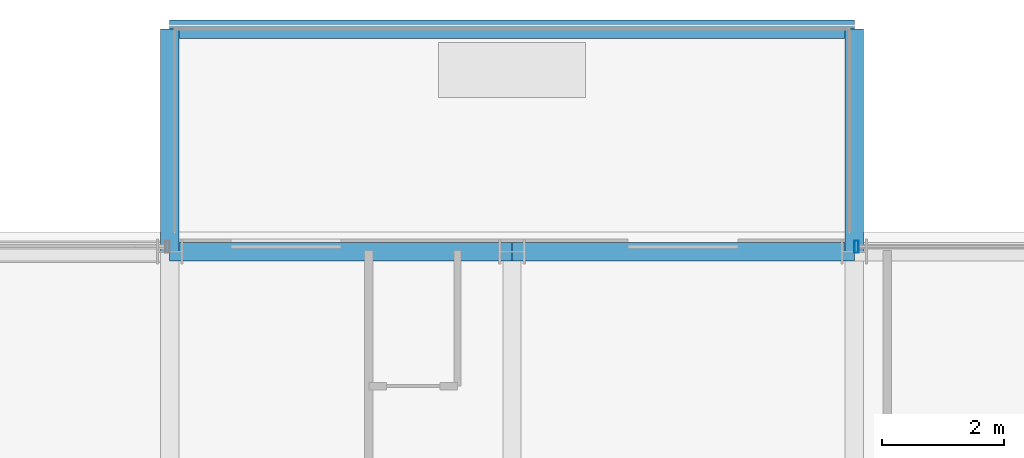
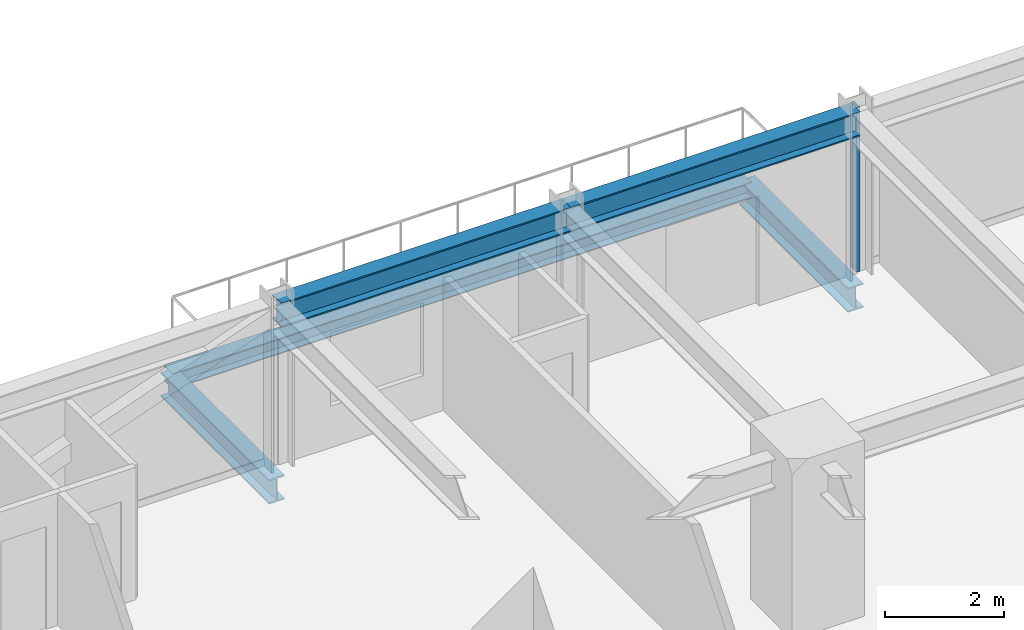
# One storey, part 25 of 43: 5 beams, 1 member, 1 element without a shape of its own.
"""IFC4 building model written with IfcOpenShell, lengths in metres."""

from ifc_helpers import new_model, si_unit, direction, frame, origin, origin_2d, place, context, subcontext, project, spatial, hollow_rectangle, i_section, extrude, source, transform, mapped, material, material_profile, profile_set, type_object, element, aggregate, save


model = new_model("IFC4")

# Units and contexts
model_context = context("Model", 3, precision=1e-05, world=origin(), true_north=direction((0.0, 1.0)))
body_context = subcontext(model_context, "Body", "Model", "MODEL_VIEW")
ifc_project = project(units=[si_unit("LENGTHUNIT", "METRE"), si_unit("AREAUNIT", "SQUARE_METRE"), si_unit("VOLUMEUNIT", "CUBIC_METRE"), si_unit("PLANEANGLEUNIT", "RADIAN"), si_unit("MASSUNIT", "GRAM", prefix="KILO")], contexts=[model_context])

# Site, building, storey
site_placement = place(None, origin())
site = spatial("IfcSite", under=ifc_project, at=site_placement, CompositionType="ELEMENT")
building_placement = place(site_placement, origin())
building = spatial("IfcBuilding", under=site, at=building_placement, Name="Nahalor Promenade Grand Hotel", CompositionType="ELEMENT")
storey_placement = place(building_placement, frame((0.0, 0.0, 47.0)))
storey = spatial("IfcBuildingStorey", under=building, at=storey_placement, Name="L10", CompositionType="ELEMENT", Elevation=47.0)

# Beams
ifc_material_1 = material(Name="Steel S355JR", Category="steel")
ifc_material_profile_1 = material_profile(ifc_material_1, i_section(OverallWidth=0.3, OverallDepth=0.5, WebThickness=0.0145, FlangeThickness=0.028, at=origin_2d()), Name="HEB 500")
ifc_profile_set_1 = profile_set([ifc_material_profile_1], Name="Steel S355JR")
beam_type_1 = type_object("IfcBeamType", Name="Beam-Outrigger-HEB500", PredefinedType="BEAM", material=ifc_profile_set_1)
shared_shape_1 = source(origin(), body_context, "Body", "SweptSolid", [
    extrude(i_section(OverallWidth=0.3, OverallDepth=0.5, WebThickness=0.0145, FlangeThickness=0.028, at=origin_2d()), origin(), (0.0, 0.0, 1.0), 3.639892578125),
])
for number, where, z_axis, x_axis, name in (
    (1, (-8.39990234375, 25.080078125, -0.530029296875), (0.0, 1.0, 0.0), (-1.0, 0.0, 0.0), "BM-L10-BC-01-1"),
    (2, (2.800048828125, 25.080078125, -0.530029296875), (0.0, 1.0, 0.0), (-1.0, 0.0, 0.0), "BM-L10-BC-01-2"),
):
    element("IfcBeam", number, at=place(storey_placement, frame(where, z_axis=z_axis, x_axis=x_axis)), inside=storey, type_object=beam_type_1, Name=name, PredefinedType="BEAM", context=body_context, shape_type="MappedRepresentation", body=[
        mapped(shared_shape_1, transform((0.0, 0.0, 0.0), scale=1.0)),
    ])
ifc_material_profile_2 = material_profile(ifc_material_1, i_section(OverallWidth=0.3, OverallDepth=0.32, WebThickness=0.0115, FlangeThickness=0.0205, at=origin_2d()), Name="HEB 320")
ifc_profile_set_2 = profile_set([ifc_material_profile_2], Name="Steel S355JR")
beam_type_2 = type_object("IfcBeamType", Name="Beam-BalcEdge-HEB320", PredefinedType="SPANDREL", material=ifc_profile_set_2)
shared_shape_2 = source(origin(), body_context, "Body", "SweptSolid", [
    extrude(i_section(OverallWidth=0.3, OverallDepth=0.32, WebThickness=0.0115, FlangeThickness=0.0205, at=origin_2d()), origin(), (0.0, 0.0, 1.0), 11.199951171875),
])
beam_1_placement = place(storey_placement, frame((-8.39990234375, 28.719970703125, -0.43994140625), z_axis=(1.0, 0.0, 0.0), x_axis=(0.0, 1.0, 0.0)))
element("IfcBeam", 3, at=beam_1_placement, inside=storey, type_object=beam_type_2, Name="BM-L10-BC-01-F", PredefinedType="SPANDREL", context=body_context, shape_type="MappedRepresentation", body=[
    mapped(shared_shape_2, transform((0.0, 0.0, 0.0), scale=1.0)),
])
ifc_material_profile_3 = material_profile(ifc_material_1, i_section(OverallWidth=0.3, OverallDepth=0.5, WebThickness=0.0145, FlangeThickness=0.028, at=origin_2d()), Name="HEB 500")
ifc_profile_set_3 = profile_set([ifc_material_profile_3], Name="Steel S355JR")
beam_type_3 = type_object("IfcBeamType", Name="Beam-Spandrel-HEB500", PredefinedType="SPANDREL", material=ifc_profile_set_3)
shared_shape_3 = source(origin(), body_context, "Body", "SweptSolid", [
    extrude(i_section(OverallWidth=0.3, OverallDepth=0.5, WebThickness=0.0145, FlangeThickness=0.028, at=origin_2d()), origin(), (0.0, 0.0, 1.0), 5.599853515625),
])
beam_2_placement = place(storey_placement, frame((-8.39990234375, 25.080078125, 3.1201171875), z_axis=(1.0, 0.0, 0.0), x_axis=(0.0, 1.0, 0.0)))
element("IfcBeam", 4, at=beam_2_placement, inside=storey, type_object=beam_type_3, Name="BM-L10-SP-N-1", PredefinedType="SPANDREL", context=body_context, shape_type="MappedRepresentation", body=[
    mapped(shared_shape_3, transform((0.0, 0.0, 0.0), scale=1.0)),
])
shared_shape_4 = source(origin(), body_context, "Body", "SweptSolid", [
    extrude(i_section(OverallWidth=0.3, OverallDepth=0.5, WebThickness=0.0145, FlangeThickness=0.028, at=origin_2d()), origin(), (0.0, 0.0, 1.0), 5.60009765625),
])
beam_3_placement = place(storey_placement, frame((-2.800048828125, 25.080078125, 3.1201171875), z_axis=(1.0, 0.0, 0.0), x_axis=(0.0, 1.0, 0.0)))
element("IfcBeam", 5, at=beam_3_placement, inside=storey, type_object=beam_type_3, Name="BM-L10-SP-N-2", PredefinedType="SPANDREL", context=body_context, shape_type="MappedRepresentation", body=[
    mapped(shared_shape_4, transform((0.0, 0.0, 0.0), scale=1.0)),
])

# Curtain wall, member
ifc_material_2 = material(Name="Anodised Bronze Aluminium EN AW-6063 T6", Category="aluminium")
curtain_wall_type = type_object("IfcCurtainWallType", Name="CW3 Elliptical-Void Collar Unitised Curtain Wall", PredefinedType="USERDEFINED", material=ifc_material_2)
curtain_wall_placement = place(storey_placement, origin())
curtain_wall = element("IfcCurtainWall", 6, at=curtain_wall_placement, inside=storey, type_object=curtain_wall_type, Name="L10 Curtain Wall CW-L10-N-3", ObjectType="UNITISED_CURTAIN_WALL", PredefinedType="USERDEFINED")
ifc_material_profile_4 = material_profile(ifc_material_2, hollow_rectangle(XDim=0.07, YDim=0.2, WallThickness=0.005, at=origin_2d()), Name="CWM 70x200x5")
ifc_profile_set_4 = profile_set([ifc_material_profile_4], Name="Anodised Bronze Aluminium EN AW-6063 T6")
member_type = type_object("IfcMemberType", Name="CWM3 Void Collar Mullion 70x200", PredefinedType="MULLION", material=ifc_profile_set_4)
shared_shape_5 = source(origin(), body_context, "Body", "SweptSolid", [
    extrude(hollow_rectangle(XDim=0.07, YDim=0.2, WallThickness=0.005, at=origin_2d()), origin(), (0.0, 0.0, 1.0), 3.3701171875),
])
member_placement = place(storey_placement, frame((2.8349609375, 25.159912109375, 0.0), z_axis=(0.0, 0.0, 1.0), x_axis=(1.0, 0.0, 0.0)))
member = element("IfcMember", 7, at=member_placement, type_object=member_type, Name="CW-L10-N-3 Mullion 0", PredefinedType="MULLION", context=body_context, shape_type="MappedRepresentation", body=[
    mapped(shared_shape_5, transform((0.0, 0.0, 0.0), scale=1.0)),
])
aggregate(curtain_wall, [member])

save(model, "model.ifc")
